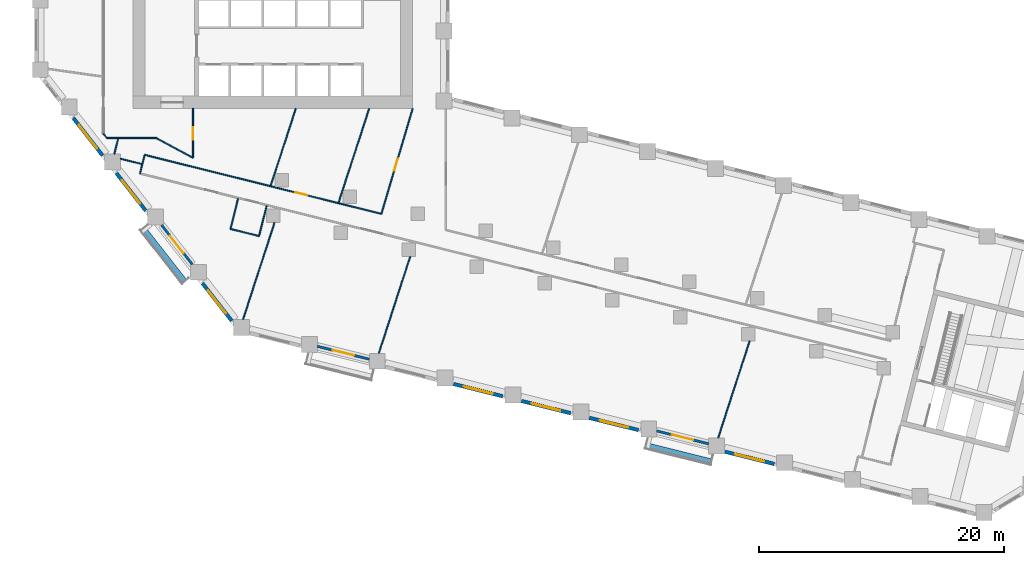
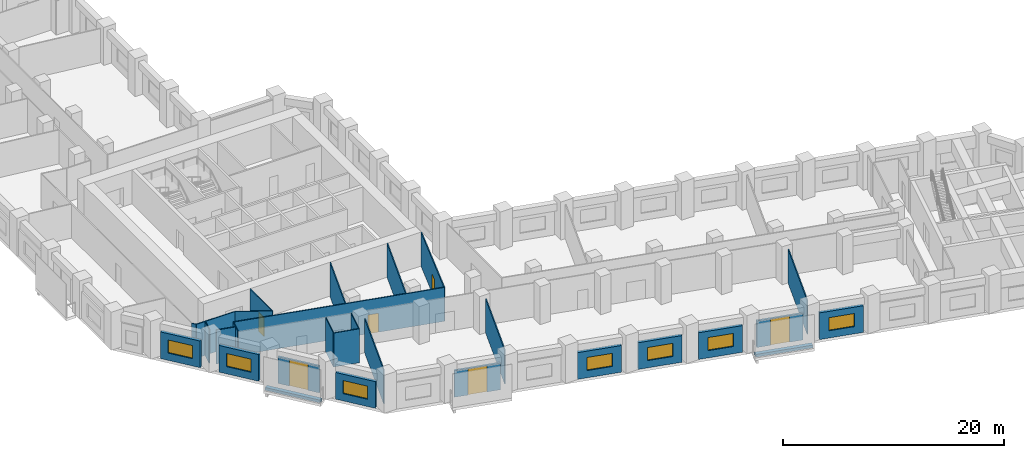
# One storey, part 3 of 11: 29 walls, 7 windows, 6 doors, 13 openings.
"""IFC4 building model written with IfcOpenShell, lengths in metres."""

from ifc_helpers import new_model, si_unit, direction, frame, frame_2d, origin, place, context, subcontext, project, spatial, rectangle, extrude, material, layer, layer_set, type_object, element, fill, save


model = new_model("IFC4")

# Units and contexts
model_context = context("Model", 3, precision=1e-05, world=origin(), true_north=direction((0.0, 1.0)))
body_context = subcontext(model_context, "Body", "Model", "MODEL_VIEW")
ifc_project = project(units=[si_unit("LENGTHUNIT", "METRE"), si_unit("AREAUNIT", "SQUARE_METRE"), si_unit("VOLUMEUNIT", "CUBIC_METRE"), si_unit("PLANEANGLEUNIT", "RADIAN"), si_unit("MASSUNIT", "GRAM", prefix="KILO")], contexts=[model_context])

# Site, building, storey
site_placement = place(None, origin())
site = spatial("IfcSite", under=ifc_project, at=site_placement, CompositionType="ELEMENT")
building_placement = place(site_placement, origin())
building = spatial("IfcBuilding", under=site, at=building_placement, Name="Meshkara Civic Tower", CompositionType="ELEMENT")
storey_placement = place(building_placement, frame((0.0, 0.0, 151.800048828125)))
storey = spatial("IfcBuildingStorey", under=building, at=storey_placement, Name="L34", CompositionType="ELEMENT", Elevation=151.800048828125)

# Walls
ifc_material_1 = material(Name="Corridor wall 100")
ifc_layer_1 = layer(ifc_material_1, 0.10009765625)
ifc_layer_set_1 = layer_set([ifc_layer_1], Name="Corridor wall 100")
wall_type_1 = type_object("IfcWallType", Name="Corridor wall 100", PredefinedType="PARTITIONING", material=ifc_layer_set_1)
wall_1_placement = place(storey_placement, frame((5.60009765625, 12.0439453125, 0.0), z_axis=(0.0, 0.0, 1.0), x_axis=(0.61572000582, -0.787965021072, 0.0)))
element("IfcWall", 1, at=wall_1_placement, inside=storey, type_object=wall_type_1, Name="L34-W004", PredefinedType="PARTITIONING", context=body_context, shape_type="SweptSolid", body=[
    extrude(rectangle(XDim=0.4365234375, YDim=0.10009765625, at=frame_2d((0.21826171875, 0.0))), origin(), (0.0, 0.0, 1.0), 3.75),
])
wall_2_placement = place(storey_placement, frame((5.868896484375, 11.699951171875, 0.0), z_axis=(0.0, 0.0, 1.0), x_axis=(1.0, 0.0, 0.0)))
element("IfcWall", 2, at=wall_2_placement, inside=storey, type_object=wall_type_1, Name="L34-W006", PredefinedType="PARTITIONING", context=body_context, shape_type="SweptSolid", body=[
    extrude(rectangle(XDim=4.031005859375, YDim=0.10009765625, at=frame_2d((2.015625, 0.0))), origin(), (0.0, 0.0, 1.0), 3.75),
])

# Wall, opening, door
wall_3_placement = place(storey_placement, frame((8.9580078125, 10.322998046875, 0.0), z_axis=(0.0, 0.0, 1.0), x_axis=(0.970298340477, -0.241911410372, 0.0)))
wall_3 = element("IfcWall", 3, at=wall_3_placement, inside=storey, type_object=wall_type_1, Name="L34-W009", PredefinedType="PARTITIONING", context=body_context, shape_type="SweptSolid", body=[
    extrude(rectangle(XDim=19.879638671875, YDim=0.10009765625, at=frame_2d((9.93994140625, 0.0))), origin(), (0.0, 0.0, 1.0), 3.75),
])
opening_1_placement = place(wall_3_placement, frame((12.653076171875, 0.0, 0.0)))
opening_1 = element("IfcOpeningElement", 4, at=opening_1_placement, cuts=wall_3, Name="Opening L34-D012", PredefinedType="OPENING", context=body_context, shape_type="SweptSolid", body=[
    extrude(rectangle(XDim=1.0, YDim=2.10009765625, at=frame_2d((0.5, 1.050048828125))), frame((0.0, 0.06005859375, 0.0), z_axis=(0.0, -1.0, 0.0), x_axis=(1.0, 0.0, 0.0)), (0.0, 0.0, 1.0), 0.1201171875),
])
ifc_material_2 = material(Name="Door 1000 x 2100")
door_type_1 = type_object("IfcDoorType", Name="Door 1000 x 2100", OperationType="SINGLE_SWING_LEFT", PredefinedType="DOOR", material=ifc_material_2)
door_1_placement = place(opening_1_placement, origin())
door_1 = element("IfcDoor", 5, at=door_1_placement, inside=storey, type_object=door_type_1, Name="L34-D012", OperationType="SINGLE_SWING_LEFT", OverallHeight=2.10009765625, OverallWidth=1.0, PredefinedType="DOOR", context=body_context, shape_type="SweptSolid", body=[
    extrude(rectangle(XDim=1.0, YDim=2.10009765625, at=frame_2d((0.5, 1.050048828125))), frame((0.0, 0.02490234375, 0.0), z_axis=(0.0, -1.0, 0.0), x_axis=(1.0, 0.0, 0.0)), (0.0, 0.0, 1.0), 0.050048828125),
])
fill(opening_1, door_1)

# Walls
wall_4_placement = place(storey_placement, frame((8.9580078125, 10.322998046875, 0.0), z_axis=(0.0, 0.0, 1.0), x_axis=(-0.241875508386, -0.97030729073, 0.0)))
element("IfcWall", 6, at=wall_4_placement, inside=storey, type_object=wall_type_1, Name="L34-W010", PredefinedType="PARTITIONING", context=body_context, shape_type="SweptSolid", body=[
    extrude(rectangle(XDim=1.566650390625, YDim=0.10009765625, at=frame_2d((0.783203125, 0.0))), origin(), (0.0, 0.0, 1.0), 3.75),
])
wall_5_placement = place(storey_placement, frame((9.89990234375, 11.699951171875, 0.0), z_axis=(0.0, 0.0, 1.0), x_axis=(0.87965147249, -0.475618846291, 0.0)))
element("IfcWall", 7, at=wall_5_placement, inside=storey, type_object=wall_type_1, Name="L34-W011", PredefinedType="PARTITIONING", context=body_context, shape_type="SweptSolid", body=[
    extrude(rectangle(XDim=3.410400390625, YDim=0.10009765625, at=frame_2d((1.705078125, 0.0))), origin(), (0.0, 0.0, 1.0), 3.75),
])

# Wall, opening, door
wall_6_placement = place(storey_placement, frame((12.89990234375, 10.077880859375, 0.0), z_axis=(0.0, 0.0, 1.0), x_axis=(0.0, 1.0, 0.0)))
wall_6 = element("IfcWall", 8, at=wall_6_placement, inside=storey, type_object=wall_type_1, Name="L34-W015", PredefinedType="PARTITIONING", context=body_context, shape_type="SweptSolid", body=[
    extrude(rectangle(XDim=4.022216796875, YDim=0.10009765625, at=frame_2d((2.01123046875, 0.0))), origin(), (0.0, 0.0, 1.0), 3.75),
])
opening_2_placement = place(wall_6_placement, frame((1.47998046875, 0.0, 0.0)))
opening_2 = element("IfcOpeningElement", 9, at=opening_2_placement, cuts=wall_6, Name="Opening L34-D016", PredefinedType="OPENING", context=body_context, shape_type="SweptSolid", body=[
    extrude(rectangle(XDim=1.0, YDim=2.10009765625, at=frame_2d((0.5, 1.050048828125))), frame((0.0, 0.06005859375, 0.0), z_axis=(0.0, -1.0, 0.0), x_axis=(1.0, 0.0, 0.0)), (0.0, 0.0, 1.0), 0.1201171875),
])
door_2_placement = place(opening_2_placement, origin())
door_2 = element("IfcDoor", 10, at=door_2_placement, inside=storey, type_object=door_type_1, Name="L34-D016", OperationType="SINGLE_SWING_RIGHT", OverallHeight=2.10009765625, OverallWidth=1.0, PredefinedType="DOOR", context=body_context, shape_type="SweptSolid", body=[
    extrude(rectangle(XDim=1.0, YDim=2.10009765625, at=frame_2d((0.5, 1.050048828125))), frame((0.0, 0.02490234375, 0.0), z_axis=(0.0, -1.0, 0.0), x_axis=(1.0, 0.0, 0.0)), (0.0, 0.0, 1.0), 0.050048828125),
])
fill(opening_2, door_2)

wall_7_placement = place(storey_placement, frame((30.800048828125, 14.10009765625, 0.0), z_axis=(0.0, 0.0, 1.0), x_axis=(-0.285004107837, -0.958526295162, 0.0)))
wall_7 = element("IfcWall", 11, at=wall_7_placement, inside=storey, type_object=wall_type_1, Name="L34-W021", PredefinedType="PARTITIONING", context=body_context, shape_type="SweptSolid", body=[
    extrude(rectangle(XDim=8.957763671875, YDim=0.10009765625, at=frame_2d((4.47900390625, 0.0))), origin(), (0.0, 0.0, 1.0), 3.75),
])
opening_3_placement = place(wall_7_placement, frame((4.280029296875, 0.0, 0.0)))
opening_3 = element("IfcOpeningElement", 12, at=opening_3_placement, cuts=wall_7, Name="Opening L34-D013", PredefinedType="OPENING", context=body_context, shape_type="SweptSolid", body=[
    extrude(rectangle(XDim=1.0, YDim=2.10009765625, at=frame_2d((0.5, 1.050048828125))), frame((0.0, 0.06005859375, 0.0), z_axis=(0.0, -1.0, 0.0), x_axis=(1.0, 0.0, 0.0)), (0.0, 0.0, 1.0), 0.1201171875),
])
door_3_placement = place(opening_3_placement, origin())
door_3 = element("IfcDoor", 13, at=door_3_placement, inside=storey, type_object=door_type_1, Name="L34-D013", OperationType="SINGLE_SWING_LEFT", OverallHeight=2.10009765625, OverallWidth=1.0, PredefinedType="DOOR", context=body_context, shape_type="SweptSolid", body=[
    extrude(rectangle(XDim=1.0, YDim=2.10009765625, at=frame_2d((0.5, 1.050048828125))), frame((0.0, 0.02490234375, 0.0), z_axis=(0.0, -1.0, 0.0), x_axis=(1.0, 0.0, 0.0)), (0.0, 0.0, 1.0), 0.050048828125),
])
fill(opening_3, door_3)

# Wall, opening, window
ifc_material_3 = material(Name="Insulated infill panel with bronze anodised aluminium cladding", Category="aluminium")
ifc_layer_2 = layer(ifc_material_3, 0.300048828125)
ifc_layer_set_2 = layer_set([ifc_layer_2], Name="EXTERNAL INFILL WALL 300")
wall_type_2 = type_object("IfcWallType", Name="EXTERNAL INFILL WALL 300", PredefinedType="SOLIDWALL", material=ifc_layer_set_2)
wall_8_placement = place(storey_placement, frame((3.138916015625, 13.324951171875, 0.0), z_axis=(0.0, 0.0, 1.0), x_axis=(0.615779754703, -0.787918329332, 0.0)))
wall_8 = element("IfcWall", 14, at=wall_8_placement, inside=storey, type_object=wall_type_2, Name="External wall", PredefinedType="SOLIDWALL", context=body_context, shape_type="SweptSolid", body=[
    extrude(rectangle(XDim=3.874755859375, YDim=0.300048828125, at=frame_2d((1.9375, 0.0))), origin(), (0.0, 0.0, 1.0), 2.949951171875),
])
opening_4_placement = place(wall_8_placement, frame((0.738037109375, 0.0, 0.800048828125)))
opening_4 = element("IfcOpeningElement", 15, at=opening_4_placement, cuts=wall_8, Name="Opening W8", PredefinedType="OPENING", context=body_context, shape_type="SweptSolid", body=[
    extrude(rectangle(XDim=2.39990234375, YDim=1.449951171875, at=frame_2d((1.199951171875, 0.72509765625))), frame((0.0, 0.159912109375, 0.0), z_axis=(0.0, -1.0, 0.0), x_axis=(1.0, 0.0, 0.0)), (0.0, 0.0, 1.0), 0.320068359375),
])
ifc_material_4 = material(Name="Tinted double glazing", Category="glass")
window_type = type_object("IfcWindowType", Name="WINDOW 2400x1450", PartitioningType="DOUBLE_PANEL_VERTICAL", PredefinedType="WINDOW", material=ifc_material_4)
window_1_placement = place(opening_4_placement, origin())
window_1 = element("IfcWindow", 16, at=window_1_placement, inside=storey, type_object=window_type, Name="Window", OverallHeight=1.449951171875, OverallWidth=2.39990234375, PartitioningType="DOUBLE_PANEL_VERTICAL", PredefinedType="WINDOW", context=body_context, shape_type="SweptSolid", body=[
    extrude(rectangle(XDim=2.39990234375, YDim=1.449951171875, at=frame_2d((1.199951171875, 0.72509765625))), frame((0.0, 0.030029296875, 0.0), z_axis=(0.0, -1.0, 0.0), x_axis=(1.0, 0.0, 0.0)), (0.0, 0.0, 1.0), 0.06005859375),
])
fill(opening_4, window_1)

wall_9_placement = place(storey_placement, frame((6.64892578125, 8.833984375, 0.0), z_axis=(0.0, 0.0, 1.0), x_axis=(0.615535257281, -0.788109349674, 0.0)))
wall_9 = element("IfcWall", 17, at=wall_9_placement, inside=storey, type_object=wall_type_2, Name="External wall", PredefinedType="SOLIDWALL", context=body_context, shape_type="SweptSolid", body=[
    extrude(rectangle(XDim=3.876220703125, YDim=0.300048828125, at=frame_2d((1.93798828125, 0.0))), origin(), (0.0, 0.0, 1.0), 2.949951171875),
])
opening_5_placement = place(wall_9_placement, frame((0.738037109375, 0.0, 0.800048828125)))
opening_5 = element("IfcOpeningElement", 18, at=opening_5_placement, cuts=wall_9, Name="Opening W8", PredefinedType="OPENING", context=body_context, shape_type="SweptSolid", body=[
    extrude(rectangle(XDim=2.39990234375, YDim=1.449951171875, at=frame_2d((1.199951171875, 0.72509765625))), frame((0.0, 0.159912109375, 0.0), z_axis=(0.0, -1.0, 0.0), x_axis=(1.0, 0.0, 0.0)), (0.0, 0.0, 1.0), 0.320068359375),
])
window_2_placement = place(opening_5_placement, origin())
window_2 = element("IfcWindow", 19, at=window_2_placement, inside=storey, type_object=window_type, Name="Window", OverallHeight=1.449951171875, OverallWidth=2.39990234375, PartitioningType="DOUBLE_PANEL_VERTICAL", PredefinedType="WINDOW", context=body_context, shape_type="SweptSolid", body=[
    extrude(rectangle(XDim=2.39990234375, YDim=1.449951171875, at=frame_2d((1.199951171875, 0.72509765625))), frame((0.0, 0.030029296875, 0.0), z_axis=(0.0, -1.0, 0.0), x_axis=(1.0, 0.0, 0.0)), (0.0, 0.0, 1.0), 0.06005859375),
])
fill(opening_5, window_2)

wall_10_placement = place(storey_placement, frame((13.6669921875, -0.14990234375, 0.0), z_axis=(0.0, 0.0, 1.0), x_axis=(0.615626928003, -0.788037743714, 0.0)))
wall_10 = element("IfcWall", 20, at=wall_10_placement, inside=storey, type_object=wall_type_2, Name="External wall", PredefinedType="SOLIDWALL", context=body_context, shape_type="SweptSolid", body=[
    extrude(rectangle(XDim=3.875732421875, YDim=0.300048828125, at=frame_2d((1.93798828125, 0.0))), origin(), (0.0, 0.0, 1.0), 2.949951171875),
])
opening_6_placement = place(wall_10_placement, frame((0.738037109375, 0.0, 0.800048828125)))
opening_6 = element("IfcOpeningElement", 21, at=opening_6_placement, cuts=wall_10, Name="Opening W8", PredefinedType="OPENING", context=body_context, shape_type="SweptSolid", body=[
    extrude(rectangle(XDim=2.39990234375, YDim=1.449951171875, at=frame_2d((1.199951171875, 0.72509765625))), frame((0.0, 0.159912109375, 0.0), z_axis=(0.0, -1.0, 0.0), x_axis=(1.0, 0.0, 0.0)), (0.0, 0.0, 1.0), 0.320068359375),
])
window_3_placement = place(opening_6_placement, origin())
window_3 = element("IfcWindow", 22, at=window_3_placement, inside=storey, type_object=window_type, Name="Window", OverallHeight=1.449951171875, OverallWidth=2.39990234375, PartitioningType="DOUBLE_PANEL_VERTICAL", PredefinedType="WINDOW", context=body_context, shape_type="SweptSolid", body=[
    extrude(rectangle(XDim=2.39990234375, YDim=1.449951171875, at=frame_2d((1.199951171875, 0.72509765625))), frame((0.0, 0.030029296875, 0.0), z_axis=(0.0, -1.0, 0.0), x_axis=(1.0, 0.0, 0.0)), (0.0, 0.0, 1.0), 0.06005859375),
])
fill(opening_6, window_3)

wall_11_placement = place(storey_placement, frame((34.135009765625, -8.35595703125, 0.0), z_axis=(0.0, 0.0, 1.0), x_axis=(0.970281616392, -0.241978480223, 0.0)))
wall_11 = element("IfcWall", 23, at=wall_11_placement, inside=storey, type_object=wall_type_2, Name="External wall", PredefinedType="SOLIDWALL", context=body_context, shape_type="SweptSolid", body=[
    extrude(rectangle(XDim=4.12451171875, YDim=0.300048828125, at=frame_2d((2.062255859375, 0.0))), origin(), (0.0, 0.0, 1.0), 2.949951171875),
])
opening_7_placement = place(wall_11_placement, frame((0.862060546875, 0.0, 0.800048828125)))
opening_7 = element("IfcOpeningElement", 24, at=opening_7_placement, cuts=wall_11, Name="Opening W8", PredefinedType="OPENING", context=body_context, shape_type="SweptSolid", body=[
    extrude(rectangle(XDim=2.39990234375, YDim=1.449951171875, at=frame_2d((1.199951171875, 0.72509765625))), frame((0.0, 0.159912109375, 0.0), z_axis=(0.0, -1.0, 0.0), x_axis=(1.0, 0.0, 0.0)), (0.0, 0.0, 1.0), 0.320068359375),
])
window_4_placement = place(opening_7_placement, origin())
window_4 = element("IfcWindow", 25, at=window_4_placement, inside=storey, type_object=window_type, Name="Window", OverallHeight=1.449951171875, OverallWidth=2.39990234375, PartitioningType="DOUBLE_PANEL_VERTICAL", PredefinedType="WINDOW", context=body_context, shape_type="SweptSolid", body=[
    extrude(rectangle(XDim=2.39990234375, YDim=1.449951171875, at=frame_2d((1.199951171875, 0.72509765625))), frame((0.0, 0.030029296875, 0.0), z_axis=(0.0, -1.0, 0.0), x_axis=(1.0, 0.0, 0.0)), (0.0, 0.0, 1.0), 0.06005859375),
])
fill(opening_7, window_4)

wall_12_placement = place(storey_placement, frame((39.666015625, -9.735107421875, 0.0), z_axis=(0.0, 0.0, 1.0), x_axis=(0.97029551261, -0.241922752565, 0.0)))
wall_12 = element("IfcWall", 26, at=wall_12_placement, inside=storey, type_object=wall_type_2, Name="External wall", PredefinedType="SOLIDWALL", context=body_context, shape_type="SweptSolid", body=[
    extrude(rectangle(XDim=4.12451171875, YDim=0.300048828125, at=frame_2d((2.062255859375, 0.0))), origin(), (0.0, 0.0, 1.0), 2.949951171875),
])
opening_8_placement = place(wall_12_placement, frame((0.862060546875, 0.0, 0.800048828125)))
opening_8 = element("IfcOpeningElement", 27, at=opening_8_placement, cuts=wall_12, Name="Opening W8", PredefinedType="OPENING", context=body_context, shape_type="SweptSolid", body=[
    extrude(rectangle(XDim=2.39990234375, YDim=1.449951171875, at=frame_2d((1.199951171875, 0.72509765625))), frame((0.0, 0.159912109375, 0.0), z_axis=(0.0, -1.0, 0.0), x_axis=(1.0, 0.0, 0.0)), (0.0, 0.0, 1.0), 0.320068359375),
])
window_5_placement = place(opening_8_placement, origin())
window_5 = element("IfcWindow", 28, at=window_5_placement, inside=storey, type_object=window_type, Name="Window", OverallHeight=1.449951171875, OverallWidth=2.39990234375, PartitioningType="DOUBLE_PANEL_VERTICAL", PredefinedType="WINDOW", context=body_context, shape_type="SweptSolid", body=[
    extrude(rectangle(XDim=2.39990234375, YDim=1.449951171875, at=frame_2d((1.199951171875, 0.72509765625))), frame((0.0, 0.030029296875, 0.0), z_axis=(0.0, -1.0, 0.0), x_axis=(1.0, 0.0, 0.0)), (0.0, 0.0, 1.0), 0.06005859375),
])
fill(opening_8, window_5)

wall_13_placement = place(storey_placement, frame((45.197021484375, -11.114013671875, 0.0), z_axis=(0.0, 0.0, 1.0), x_axis=(0.970267747908, -0.242034083076, 0.0)))
wall_13 = element("IfcWall", 29, at=wall_13_placement, inside=storey, type_object=wall_type_2, Name="External wall", PredefinedType="SOLIDWALL", context=body_context, shape_type="SweptSolid", body=[
    extrude(rectangle(XDim=4.12353515625, YDim=0.300048828125, at=frame_2d((2.061767578125, 0.0))), origin(), (0.0, 0.0, 1.0), 2.949951171875),
])
opening_9_placement = place(wall_13_placement, frame((0.862060546875, 0.0, 0.800048828125)))
opening_9 = element("IfcOpeningElement", 30, at=opening_9_placement, cuts=wall_13, Name="Opening W8", PredefinedType="OPENING", context=body_context, shape_type="SweptSolid", body=[
    extrude(rectangle(XDim=2.39990234375, YDim=1.449951171875, at=frame_2d((1.199951171875, 0.72509765625))), frame((0.0, 0.159912109375, 0.0), z_axis=(0.0, -1.0, 0.0), x_axis=(1.0, 0.0, 0.0)), (0.0, 0.0, 1.0), 0.320068359375),
])
window_6_placement = place(opening_9_placement, origin())
window_6 = element("IfcWindow", 31, at=window_6_placement, inside=storey, type_object=window_type, Name="Window", OverallHeight=1.449951171875, OverallWidth=2.39990234375, PartitioningType="DOUBLE_PANEL_VERTICAL", PredefinedType="WINDOW", context=body_context, shape_type="SweptSolid", body=[
    extrude(rectangle(XDim=2.39990234375, YDim=1.449951171875, at=frame_2d((1.199951171875, 0.72509765625))), frame((0.0, 0.030029296875, 0.0), z_axis=(0.0, -1.0, 0.0), x_axis=(1.0, 0.0, 0.0)), (0.0, 0.0, 1.0), 0.06005859375),
])
fill(opening_9, window_6)

wall_14_placement = place(storey_placement, frame((56.258056640625, -13.8720703125, 0.0), z_axis=(0.0, 0.0, 1.0), x_axis=(0.970281616392, -0.241978480223, 0.0)))
wall_14 = element("IfcWall", 32, at=wall_14_placement, inside=storey, type_object=wall_type_2, Name="External wall", PredefinedType="SOLIDWALL", context=body_context, shape_type="SweptSolid", body=[
    extrude(rectangle(XDim=4.12451171875, YDim=0.300048828125, at=frame_2d((2.062255859375, 0.0))), origin(), (0.0, 0.0, 1.0), 2.949951171875),
])
opening_10_placement = place(wall_14_placement, frame((0.862060546875, 0.0, 0.800048828125)))
opening_10 = element("IfcOpeningElement", 33, at=opening_10_placement, cuts=wall_14, Name="Opening W8", PredefinedType="OPENING", context=body_context, shape_type="SweptSolid", body=[
    extrude(rectangle(XDim=2.39990234375, YDim=1.449951171875, at=frame_2d((1.199951171875, 0.72509765625))), frame((0.0, 0.159912109375, 0.0), z_axis=(0.0, -1.0, 0.0), x_axis=(1.0, 0.0, 0.0)), (0.0, 0.0, 1.0), 0.320068359375),
])
window_7_placement = place(opening_10_placement, origin())
window_7 = element("IfcWindow", 34, at=window_7_placement, inside=storey, type_object=window_type, Name="Window", OverallHeight=1.449951171875, OverallWidth=2.39990234375, PartitioningType="DOUBLE_PANEL_VERTICAL", PredefinedType="WINDOW", context=body_context, shape_type="SweptSolid", body=[
    extrude(rectangle(XDim=2.39990234375, YDim=1.449951171875, at=frame_2d((1.199951171875, 0.72509765625))), frame((0.0, 0.030029296875, 0.0), z_axis=(0.0, -1.0, 0.0), x_axis=(1.0, 0.0, 0.0)), (0.0, 0.0, 1.0), 0.06005859375),
])
fill(opening_10, window_7)

# Wall, opening, door
ifc_material_5 = material(Name="Insulated infill panel with bronze anodised aluminium cladding", Category="aluminium")
ifc_layer_3 = layer(ifc_material_5, 0.199951171875)
ifc_layer_set_3 = layer_set([ifc_layer_3], Name="LOGGIA BACK WALL 200")
wall_type_3 = type_object("IfcWallType", Name="LOGGIA BACK WALL 200", PredefinedType="SOLIDWALL", material=ifc_layer_set_3)
wall_15_placement = place(storey_placement, frame((10.341064453125, 4.594970703125, 0.0), z_axis=(0.0, 0.0, 1.0), x_axis=(0.615646382005, -0.788022545569, 0.0)))
wall_15 = element("IfcWall", 35, at=wall_15_placement, inside=storey, type_object=wall_type_3, Name="Loggia wall", PredefinedType="SOLIDWALL", context=body_context, shape_type="SweptSolid", body=[
    extrude(rectangle(XDim=4.04931640625, YDim=0.199951171875, at=frame_2d((2.024658203125, 0.0))), origin(), (0.0, 0.0, 1.0), 2.949951171875),
])
opening_11_placement = place(wall_15_placement, frame((1.1240234375, 0.0, 0.0)))
opening_11 = element("IfcOpeningElement", 36, at=opening_11_placement, cuts=wall_15, Name="Opening L34-L003", PredefinedType="OPENING", context=body_context, shape_type="SweptSolid", body=[
    extrude(rectangle(XDim=1.800048828125, YDim=2.89990234375, at=frame_2d((0.89990234375, 1.449951171875))), frame((0.0, 0.10986328125, 0.0), z_axis=(0.0, -1.0, 0.0), x_axis=(1.0, 0.0, 0.0)), (0.0, 0.0, 1.0), 0.219970703125),
])
ifc_material_6 = material(Name="Tinted double glazing", Category="glass")
door_type_2 = type_object("IfcDoorType", Name="LOGGIA DOOR 1800x2900", OperationType="DOUBLE_DOOR_SINGLE_SWING", PredefinedType="DOOR", material=ifc_material_6)
door_4_placement = place(opening_11_placement, origin())
door_4 = element("IfcDoor", 37, at=door_4_placement, inside=storey, type_object=door_type_2, Name="L34-L003", OperationType="DOUBLE_DOOR_SINGLE_SWING", OverallHeight=2.89990234375, OverallWidth=1.800048828125, PredefinedType="DOOR", context=body_context, shape_type="SweptSolid", body=[
    extrude(rectangle(XDim=1.800048828125, YDim=2.89990234375, at=frame_2d((0.89990234375, 1.449951171875))), frame((0.0, 0.02490234375, 0.0), z_axis=(0.0, -1.0, 0.0), x_axis=(1.0, 0.0, 0.0)), (0.0, 0.0, 1.0), 0.050048828125),
])
fill(opening_11, door_4)

wall_16_placement = place(storey_placement, frame((23.031982421875, -5.279052734375, 0.0), z_axis=(0.0, 0.0, 1.0), x_axis=(0.970333273122, -0.241771253611, 0.0)))
wall_16 = element("IfcWall", 38, at=wall_16_placement, inside=storey, type_object=wall_type_3, Name="Loggia wall", PredefinedType="SOLIDWALL", context=body_context, shape_type="SweptSolid", body=[
    extrude(rectangle(XDim=4.359375, YDim=0.199951171875, at=frame_2d((2.1796875, 0.0))), origin(), (0.0, 0.0, 1.0), 2.949951171875),
])
opening_12_placement = place(wall_16_placement, frame((1.279052734375, 0.0, 0.0)))
opening_12 = element("IfcOpeningElement", 39, at=opening_12_placement, cuts=wall_16, Name="Opening L34-L004", PredefinedType="OPENING", context=body_context, shape_type="SweptSolid", body=[
    extrude(rectangle(XDim=1.800048828125, YDim=2.89990234375, at=frame_2d((0.89990234375, 1.449951171875))), frame((0.0, 0.10986328125, 0.0), z_axis=(0.0, -1.0, 0.0), x_axis=(1.0, 0.0, 0.0)), (0.0, 0.0, 1.0), 0.219970703125),
])
door_5_placement = place(opening_12_placement, origin())
door_5 = element("IfcDoor", 40, at=door_5_placement, inside=storey, type_object=door_type_2, Name="L34-L004", OperationType="DOUBLE_DOOR_SINGLE_SWING", OverallHeight=2.89990234375, OverallWidth=1.800048828125, PredefinedType="DOOR", context=body_context, shape_type="SweptSolid", body=[
    extrude(rectangle(XDim=1.800048828125, YDim=2.89990234375, at=frame_2d((0.89990234375, 1.449951171875))), frame((0.0, 0.02490234375, 0.0), z_axis=(0.0, -1.0, 0.0), x_axis=(1.0, 0.0, 0.0)), (0.0, 0.0, 1.0), 0.050048828125),
])
fill(opening_12, door_5)

wall_17_placement = place(storey_placement, frame((50.68505859375, -12.173095703125, 0.0), z_axis=(0.0, 0.0, 1.0), x_axis=(0.970293811216, -0.241929576357, 0.0)))
wall_17 = element("IfcWall", 41, at=wall_17_placement, inside=storey, type_object=wall_type_3, Name="Loggia wall", PredefinedType="SOLIDWALL", context=body_context, shape_type="SweptSolid", body=[
    extrude(rectangle(XDim=4.360595703125, YDim=0.199951171875, at=frame_2d((2.18017578125, 0.0))), origin(), (0.0, 0.0, 1.0), 2.949951171875),
])
opening_13_placement = place(wall_17_placement, frame((1.280029296875, 0.0, 0.0)))
opening_13 = element("IfcOpeningElement", 42, at=opening_13_placement, cuts=wall_17, Name="Opening L34-L005", PredefinedType="OPENING", context=body_context, shape_type="SweptSolid", body=[
    extrude(rectangle(XDim=1.800048828125, YDim=2.89990234375, at=frame_2d((0.89990234375, 1.449951171875))), frame((0.0, 0.10986328125, 0.0), z_axis=(0.0, -1.0, 0.0), x_axis=(1.0, 0.0, 0.0)), (0.0, 0.0, 1.0), 0.219970703125),
])
door_6_placement = place(opening_13_placement, origin())
door_6 = element("IfcDoor", 43, at=door_6_placement, inside=storey, type_object=door_type_2, Name="L34-L005", OperationType="DOUBLE_DOOR_SINGLE_SWING", OverallHeight=2.89990234375, OverallWidth=1.800048828125, PredefinedType="DOOR", context=body_context, shape_type="SweptSolid", body=[
    extrude(rectangle(XDim=1.800048828125, YDim=2.89990234375, at=frame_2d((0.89990234375, 1.449951171875))), frame((0.0, 0.02490234375, 0.0), z_axis=(0.0, -1.0, 0.0), x_axis=(1.0, 0.0, 0.0)), (0.0, 0.0, 1.0), 0.050048828125),
])
fill(opening_13, door_6)

# Walls
ifc_material_7 = material(Name="Concrete C40", Category="concrete")
ifc_layer_4 = layer(ifc_material_7, 0.39990234375)
ifc_layer_set_4 = layer_set([ifc_layer_4], Name="PLANTER TRAY")
wall_type_4 = type_object("IfcWallType", Name="PLANTER TRAY", PredefinedType="SOLIDWALL", material=ifc_layer_set_4)
wall_18_placement = place(storey_placement, frame((8.889892578125, 4.2919921875, 0.0), z_axis=(0.0, 0.0, 1.0), x_axis=(0.615636085037, -0.788030590016, 0.0)))
element("IfcWall", 44, at=wall_18_placement, inside=storey, type_object=wall_type_4, Name="Planter", PredefinedType="SOLIDWALL", context=body_context, shape_type="SweptSolid", body=[
    extrude(rectangle(XDim=5.35888671875, YDim=0.39990234375, at=frame_2d((2.679443359375, 0.0))), origin(), (0.0, 0.0, 1.0), 0.300048828125),
])
wall_19_placement = place(storey_placement, frame((49.8779296875, -13.343017578125, 0.0), z_axis=(0.0, 0.0, 1.0), x_axis=(0.970292345375, -0.241935455249, 0.0)))
element("IfcWall", 45, at=wall_19_placement, inside=storey, type_object=wall_type_4, Name="Planter", PredefinedType="SOLIDWALL", context=body_context, shape_type="SweptSolid", body=[
    extrude(rectangle(XDim=5.3603515625, YDim=0.39990234375, at=frame_2d((2.68017578125, 0.0))), origin(), (0.0, 0.0, 1.0), 0.300048828125),
])
ifc_material_8 = material(Name="Partition 100")
ifc_layer_5 = layer(ifc_material_8, 0.10009765625)
ifc_layer_set_5 = layer_set([ifc_layer_5], Name="Partition 100")
wall_type_5 = type_object("IfcWallType", Name="Partition 100", PredefinedType="PARTITIONING", material=ifc_layer_set_5)
wall_20_placement = place(storey_placement, frame((6.797119140625, 11.637939453125, 0.0), z_axis=(0.0, 0.0, 1.0), x_axis=(-0.242000927221, -0.970276018061, 0.0)))
element("IfcWall", 46, at=wall_20_placement, inside=storey, type_object=wall_type_5, Name="L34-W034", PredefinedType="PARTITIONING", context=body_context, shape_type="SweptSolid", body=[
    extrude(rectangle(XDim=1.289306640625, YDim=0.10009765625, at=frame_2d((0.64453125, 0.0))), origin(), (0.0, 0.0, 1.0), 3.75),
])
wall_21_placement = place(storey_placement, frame((8.718994140625, 9.574951171875, 0.0), z_axis=(0.0, 0.0, 1.0), x_axis=(-0.970333736057, 0.241769395645, 0.0)))
element("IfcWall", 47, at=wall_21_placement, inside=storey, type_object=wall_type_5, Name="L34-W035", PredefinedType="PARTITIONING", context=body_context, shape_type="SweptSolid", body=[
    extrude(rectangle(XDim=1.799560546875, YDim=0.10009765625, at=frame_2d((0.89990234375, 0.0))), origin(), (0.0, 0.0, 1.0), 3.75),
])
wall_22_placement = place(storey_placement, frame((15.955078125, 4.284912109375, 0.0), z_axis=(0.0, 0.0, 1.0), x_axis=(0.241949841323, 0.970288758197, 0.0)))
element("IfcWall", 48, at=wall_22_placement, inside=storey, type_object=wall_type_5, Name="L34-W039", PredefinedType="PARTITIONING", context=body_context, shape_type="SweptSolid", body=[
    extrude(rectangle(XDim=2.5498046875, YDim=0.10009765625, at=frame_2d((1.27490234375, 0.0))), origin(), (0.0, 0.0, 1.0), 3.75),
])
wall_23_placement = place(storey_placement, frame((16.97802734375, -3.087890625, 0.0), z_axis=(0.0, 0.0, 1.0), x_axis=(0.308986355751, 0.951066470842, 0.0)))
element("IfcWall", 49, at=wall_23_placement, inside=storey, type_object=wall_type_5, Name="L34-W040", PredefinedType="PARTITIONING", context=body_context, shape_type="SweptSolid", body=[
    extrude(rectangle(XDim=8.30419921875, YDim=0.10009765625, at=frame_2d((4.152099609375, 0.0))), origin(), (0.0, 0.0, 1.0), 3.75),
])
wall_24_placement = place(storey_placement, frame((18.283935546875, 3.7041015625, 0.0), z_axis=(0.0, 0.0, 1.0), x_axis=(-0.970279961304, 0.241985116673, 0.0)))
element("IfcWall", 50, at=wall_24_placement, inside=storey, type_object=wall_type_5, Name="L34-W041", PredefinedType="PARTITIONING", context=body_context, shape_type="SweptSolid", body=[
    extrude(rectangle(XDim=2.400146484375, YDim=0.10009765625, at=frame_2d((1.2001953125, 0.0))), origin(), (0.0, 0.0, 1.0), 3.75),
])
wall_25_placement = place(storey_placement, frame((18.90087890625, 6.177978515625, 0.0), z_axis=(0.0, 0.0, 1.0), x_axis=(-0.241972320765, -0.970283152478, 0.0)))
element("IfcWall", 51, at=wall_25_placement, inside=storey, type_object=wall_type_5, Name="L34-W042", PredefinedType="PARTITIONING", context=body_context, shape_type="SweptSolid", body=[
    extrude(rectangle(XDim=2.549560546875, YDim=0.10009765625, at=frame_2d((1.27490234375, 0.0))), origin(), (0.0, 0.0, 1.0), 3.75),
])
wall_26_placement = place(storey_placement, frame((19.23388671875, 7.81591796875, 0.0), z_axis=(0.0, 0.0, 1.0), x_axis=(0.309035944139, 0.951050358935, 0.0)))
element("IfcWall", 52, at=wall_26_placement, inside=storey, type_object=wall_type_5, Name="L34-W043", PredefinedType="PARTITIONING", context=body_context, shape_type="SweptSolid", body=[
    extrude(rectangle(XDim=6.607666015625, YDim=0.10009765625, at=frame_2d((3.3037109375, 0.0))), origin(), (0.0, 0.0, 1.0), 3.75),
])
wall_27_placement = place(storey_placement, frame((24.764892578125, 6.43701171875, 0.0), z_axis=(0.0, 0.0, 1.0), x_axis=(0.309028520832, 0.951052771045, 0.0)))
element("IfcWall", 53, at=wall_27_placement, inside=storey, type_object=wall_type_5, Name="L34-W047", PredefinedType="PARTITIONING", context=body_context, shape_type="SweptSolid", body=[
    extrude(rectangle(XDim=8.057373046875, YDim=0.10009765625, at=frame_2d((4.02880859375, 0.0))), origin(), (0.0, 0.0, 1.0), 3.75),
])
for number, where, z_axis, x_axis, name in (
    (54, (28.0390625, -5.845947265625, 0.0), (0.0, 0.0, 1.0), (0.308986355751, 0.951066470842, 0.0), "L34-W048"),
    (55, (55.693115234375, -12.739990234375, 0.0), (0.0, 0.0, 1.0), (0.308986355751, 0.951066470842, 0.0), "L34-W050"),
):
    element("IfcWall", number, at=place(storey_placement, frame(where, z_axis=z_axis, x_axis=x_axis)), inside=storey, type_object=wall_type_5, Name=name, PredefinedType="PARTITIONING", context=body_context, shape_type="SweptSolid", body=[
        extrude(rectangle(XDim=8.30419921875, YDim=0.10009765625, at=frame_2d((4.152099609375, 0.0))), origin(), (0.0, 0.0, 1.0), 3.75),
    ])

save(model, "model.ifc")
